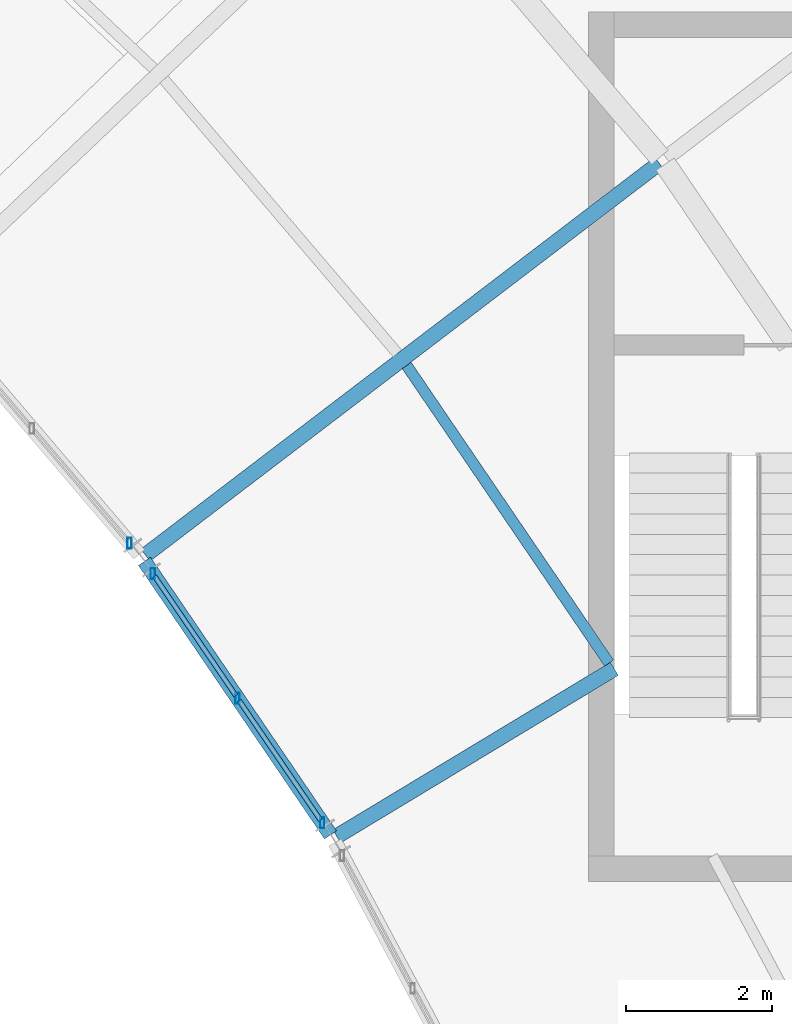
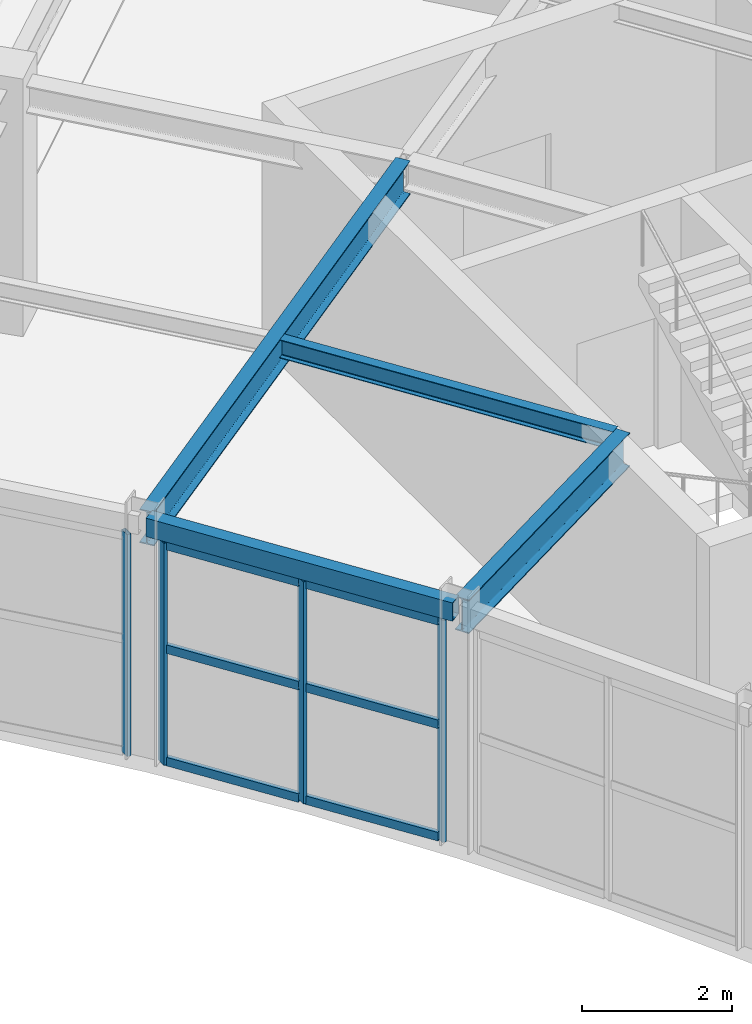
# One storey, part 14 of 29: 10 members, 4 beams, 2 elements without a shape of their own.
"""IFC4 building model written with IfcOpenShell, lengths in metres."""

from ifc_helpers import new_model, si_unit, direction, frame, origin, origin_2d, place, context, subcontext, project, spatial, hollow_rectangle, i_section, extrude, material, material_profile, profile_set, type_object, element, aggregate, save


model = new_model("IFC4")

# Units and contexts
model_context = context("Model", 3, precision=1e-05, world=origin(), true_north=direction((0.0, 1.0)))
body_context = subcontext(model_context, "Body", "Model", "MODEL_VIEW")
ifc_project = project(units=[si_unit("LENGTHUNIT", "METRE"), si_unit("AREAUNIT", "SQUARE_METRE"), si_unit("VOLUMEUNIT", "CUBIC_METRE"), si_unit("PLANEANGLEUNIT", "RADIAN"), si_unit("MASSUNIT", "GRAM", prefix="KILO")], contexts=[model_context])

# Site, building, storey
site_placement = place(None, origin())
site = spatial("IfcSite", under=ifc_project, at=site_placement, CompositionType="ELEMENT")
building_placement = place(site_placement, origin())
building = spatial("IfcBuilding", under=site, at=building_placement, Name="Tarnveldt Headland Concert Hall", CompositionType="ELEMENT")
storey_placement = place(building_placement, frame((0.0, 0.0, 18.60009765625)))
storey = spatial("IfcBuildingStorey", under=building, at=storey_placement, Name="L04", CompositionType="ELEMENT", Elevation=18.60009765625)

# Curtain wall, members
ifc_material_1 = material(Name="Marine-anodised aluminium EN AW-6063-T6", Category="aluminium")
curtain_wall_type = type_object("IfcCurtainWallType", Name="CW-C5", PredefinedType="NOTDEFINED", material=ifc_material_1)
curtain_wall_1_placement = place(storey_placement, origin())
curtain_wall_1 = element("IfcCurtainWall", 1, at=curtain_wall_1_placement, inside=storey, type_object=curtain_wall_type, Name="Curtain wall CW-L04-152", PredefinedType="NOTDEFINED")
ifc_material_profile_1 = material_profile(ifc_material_1, hollow_rectangle(XDim=0.06005859375, YDim=0.14990234375, WallThickness=0.00390625, at=origin_2d()), Name="ALU MULLION 60x150x4", Category="aluminium")
ifc_profile_set_1 = profile_set([ifc_material_profile_1], Name="Marine-anodised aluminium EN AW-6063-T6")
member_type_1 = type_object("IfcMemberType", Name="ML-150", PredefinedType="MULLION", material=ifc_profile_set_1)
member_1_placement = place(storey_placement, frame((154.166259765625, 82.437255859375, 0.0), z_axis=(0.0, 0.0, 1.0), x_axis=(1.0, 0.0, 0.0)))
member_1 = element("IfcMember", 2, at=member_1_placement, type_object=member_type_1, Name="Mullion CW-L04-152-1", PredefinedType="MULLION", context=body_context, shape_type="SweptSolid", body=[
    extrude(hollow_rectangle(XDim=0.06005859375, YDim=0.14990234375, WallThickness=0.00390625, at=origin_2d()), origin(), (0.0, 0.0, 1.0), 3.619873046875),
])
member_2_placement = place(storey_placement, frame((153.002685546875, 84.147705078125, 0.0), z_axis=(0.0, 0.0, 1.0), x_axis=(1.0, 0.0, 0.0)))
member_2 = element("IfcMember", 3, at=member_2_placement, type_object=member_type_1, Name="Mullion CW-L04-152-2", PredefinedType="MULLION", context=body_context, shape_type="SweptSolid", body=[
    extrude(hollow_rectangle(XDim=0.06005859375, YDim=0.14990234375, WallThickness=0.00390625, at=origin_2d()), origin(), (0.0, 0.0, 1.0), 3.619873046875),
])
member_3_placement = place(storey_placement, frame((151.839111328125, 85.8583984375, 0.0), z_axis=(0.0, 0.0, 1.0), x_axis=(1.0, 0.0, 0.0)))
member_3 = element("IfcMember", 4, at=member_3_placement, type_object=member_type_1, Name="Mullion CW-L04-152-3", PredefinedType="MULLION", context=body_context, shape_type="SweptSolid", body=[
    extrude(hollow_rectangle(XDim=0.06005859375, YDim=0.14990234375, WallThickness=0.00390625, at=origin_2d()), origin(), (0.0, 0.0, 1.0), 3.619873046875),
])

# Curtain wall, member
curtain_wall_2_placement = place(storey_placement, origin())
curtain_wall_2 = element("IfcCurtainWall", 5, at=curtain_wall_2_placement, inside=storey, type_object=curtain_wall_type, Name="Curtain wall CW-L04-153", PredefinedType="NOTDEFINED")
member_4_placement = place(storey_placement, frame((151.518310546875, 86.279052734375, 0.0), z_axis=(0.0, 0.0, 1.0), x_axis=(1.0, 0.0, 0.0)))
member_4 = element("IfcMember", 6, at=member_4_placement, type_object=member_type_1, Name="Mullion CW-L04-153-1", PredefinedType="MULLION", context=body_context, shape_type="SweptSolid", body=[
    extrude(hollow_rectangle(XDim=0.06005859375, YDim=0.14990234375, WallThickness=0.00390625, at=origin_2d()), origin(), (0.0, 0.0, 1.0), 3.619873046875),
])
aggregate(curtain_wall_2, [member_4])

# Beams
ifc_material_2 = material(Name="Steel S355", Category="steel")
ifc_material_profile_2 = material_profile(ifc_material_2, i_section(OverallWidth=0.14990234375, OverallDepth=0.300048828125, WebThickness=0.007080078125, FlangeThickness=0.0107421875, FilletRadius=0.014892578125, at=origin_2d()), Name="IPE300", Category="steel")
ifc_profile_set_2 = profile_set([ifc_material_profile_2], Name="Steel S355")
beam_type_1 = type_object("IfcBeamType", Name="SB-IPE300", PredefinedType="JOIST", material=ifc_profile_set_2)
beam_1_placement = place(storey_placement, frame((158.10888671875, 84.6298828125, 3.829833984375), z_axis=(-0.562388329388, 0.82687324722, 0.0), x_axis=(-0.82687324722, -0.562388329388, 0.0)))
element("IfcBeam", 7, at=beam_1_placement, inside=storey, type_object=beam_type_1, Name="Framing beam L04-1395", PredefinedType="JOIST", context=body_context, shape_type="SweptSolid", body=[
    extrude(i_section(OverallWidth=0.14990234375, OverallDepth=0.300048828125, WebThickness=0.007080078125, FlangeThickness=0.0107421875, FilletRadius=0.014892578125, at=origin_2d()), origin(), (0.0, 0.0, 1.0), 4.94580078125),
])
ifc_material_profile_3 = material_profile(ifc_material_2, i_section(OverallWidth=0.2099609375, OverallDepth=0.550048828125, WebThickness=0.010986328125, FlangeThickness=0.01708984375, FilletRadius=0.02392578125, at=origin_2d()), Name="IPE550", Category="steel")
ifc_profile_set_3 = profile_set([ifc_material_profile_3], Name="Steel S355")
beam_type_2 = type_object("IfcBeamType", Name="SB-IPE550", PredefinedType="BEAM", material=ifc_profile_set_3)
beam_2_placement = place(storey_placement, frame((154.36669921875, 82.2490234375, 3.704833984375), z_axis=(0.856145433593, 0.516734938375, 0.0), x_axis=(-0.516734938375, 0.856145433593, 0.0)))
element("IfcBeam", 8, at=beam_2_placement, inside=storey, type_object=beam_type_2, Name="Framing beam L04-1390", PredefinedType="BEAM", context=body_context, shape_type="SweptSolid", body=[
    extrude(i_section(OverallWidth=0.2099609375, OverallDepth=0.550048828125, WebThickness=0.010986328125, FlangeThickness=0.01708984375, FilletRadius=0.02392578125, at=origin_2d()), origin(), (0.0, 0.0, 1.0), 4.453857421875),
])
beam_3_placement = place(storey_placement, frame((151.73779296875, 86.11376953125, 3.704833984375), z_axis=(0.795127420909, 0.6064424, 0.0), x_axis=(-0.6064424, 0.795127420909, 0.0)))
element("IfcBeam", 9, at=beam_3_placement, inside=storey, type_object=beam_type_2, Name="Framing beam L04-1397", PredefinedType="BEAM", context=body_context, shape_type="SweptSolid", body=[
    extrude(i_section(OverallWidth=0.2099609375, OverallDepth=0.550048828125, WebThickness=0.010986328125, FlangeThickness=0.01708984375, FilletRadius=0.02392578125, at=origin_2d()), origin(), (0.0, 0.0, 1.0), 8.880126953125),
])
ifc_material_profile_4 = material_profile(ifc_material_2, hollow_rectangle(XDim=0.199951171875, YDim=0.300048828125, WallThickness=0.012451171875, at=origin_2d()), Name="RHS 300x200x12.5", Category="steel")
ifc_profile_set_4 = profile_set([ifc_material_profile_4], Name="Steel S355")
beam_type_3 = type_object("IfcBeamType", Name="SB-RHS300", PredefinedType="SPANDREL", material=ifc_profile_set_4)
beam_4_placement = place(storey_placement, frame((154.281494140625, 82.267578125, 3.829833984375), z_axis=(-0.562406932975, 0.826860593898, 0.0), x_axis=(-0.826860593898, -0.562406932975, 0.0)))
element("IfcBeam", 10, at=beam_4_placement, inside=storey, type_object=beam_type_3, Name="Framing beam L04-1392", PredefinedType="SPANDREL", context=body_context, shape_type="SweptSolid", body=[
    extrude(hollow_rectangle(XDim=0.199951171875, YDim=0.300048828125, WallThickness=0.012451171875, at=origin_2d()), origin(), (0.0, 0.0, 1.0), 4.547607421875),
])

# Member
ifc_material_profile_5 = material_profile(ifc_material_1, hollow_rectangle(XDim=0.06494140625, YDim=0.139892578125, WallThickness=0.00390625, at=origin_2d()), Name="ALU TRANSOM 65x140x4", Category="aluminium")
ifc_profile_set_5 = profile_set([ifc_material_profile_5], Name="Marine-anodised aluminium EN AW-6063-T6")
member_type_2 = type_object("IfcMemberType", Name="TR-140", PredefinedType="MEMBER", material=ifc_profile_set_5)
member_5_placement = place(storey_placement, frame((154.142578125, 82.471923828125, 0.0498046875), z_axis=(-0.562397497363, 0.826867011653, 0.0), x_axis=(-0.826867011653, -0.562397497363, 0.0)))
member_5 = element("IfcMember", 11, at=member_5_placement, type_object=member_type_2, Name="Transom CW-L04-152-1-1", PredefinedType="MEMBER", context=body_context, shape_type="SweptSolid", body=[
    extrude(hollow_rectangle(XDim=0.06494140625, YDim=0.139892578125, WallThickness=0.00390625, at=origin_2d()), origin(), (0.0, 0.0, 1.0), 1.984619140625),
])

member_6_placement = place(storey_placement, frame((154.142578125, 82.471923828125, 1.88232421875), z_axis=(-0.562397497363, 0.826867011653, 0.0), x_axis=(-0.826867011653, -0.562397497363, 0.0)))
member_6 = element("IfcMember", 12, at=member_6_placement, type_object=member_type_2, Name="Transom CW-L04-152-1-2", PredefinedType="MEMBER", context=body_context, shape_type="SweptSolid", body=[
    extrude(hollow_rectangle(XDim=0.06494140625, YDim=0.139892578125, WallThickness=0.00390625, at=origin_2d()), origin(), (0.0, 0.0, 1.0), 1.984619140625),
])

member_7_placement = place(storey_placement, frame((154.142578125, 82.471923828125, 3.56982421875), z_axis=(-0.562397497363, 0.826867011653, 0.0), x_axis=(-0.826867011653, -0.562397497363, 0.0)))
member_7 = element("IfcMember", 13, at=member_7_placement, type_object=member_type_2, Name="Transom CW-L04-152-1-3", PredefinedType="MEMBER", context=body_context, shape_type="SweptSolid", body=[
    extrude(hollow_rectangle(XDim=0.06494140625, YDim=0.139892578125, WallThickness=0.00390625, at=origin_2d()), origin(), (0.0, 0.0, 1.0), 1.984619140625),
])

member_8_placement = place(storey_placement, frame((152.97900390625, 84.1826171875, 0.0498046875), z_axis=(-0.562454704493, 0.826828099059, 0.0), x_axis=(-0.826828099059, -0.562454704493, 0.0)))
member_8 = element("IfcMember", 14, at=member_8_placement, type_object=member_type_2, Name="Transom CW-L04-152-2-1", PredefinedType="MEMBER", context=body_context, shape_type="SweptSolid", body=[
    extrude(hollow_rectangle(XDim=0.06494140625, YDim=0.139892578125, WallThickness=0.00390625, at=origin_2d()), origin(), (0.0, 0.0, 1.0), 1.984619140625),
])

member_9_placement = place(storey_placement, frame((152.97900390625, 84.1826171875, 1.88232421875), z_axis=(-0.562454704493, 0.826828099059, 0.0), x_axis=(-0.826828099059, -0.562454704493, 0.0)))
member_9 = element("IfcMember", 15, at=member_9_placement, type_object=member_type_2, Name="Transom CW-L04-152-2-2", PredefinedType="MEMBER", context=body_context, shape_type="SweptSolid", body=[
    extrude(hollow_rectangle(XDim=0.06494140625, YDim=0.139892578125, WallThickness=0.00390625, at=origin_2d()), origin(), (0.0, 0.0, 1.0), 1.984619140625),
])

member_10_placement = place(storey_placement, frame((152.97900390625, 84.1826171875, 3.56982421875), z_axis=(-0.562454704493, 0.826828099059, 0.0), x_axis=(-0.826828099059, -0.562454704493, 0.0)))
member_10 = element("IfcMember", 16, at=member_10_placement, type_object=member_type_2, Name="Transom CW-L04-152-2-3", PredefinedType="MEMBER", context=body_context, shape_type="SweptSolid", body=[
    extrude(hollow_rectangle(XDim=0.06494140625, YDim=0.139892578125, WallThickness=0.00390625, at=origin_2d()), origin(), (0.0, 0.0, 1.0), 1.984619140625),
])

aggregate(curtain_wall_1, [member_1, member_2, member_3, member_5, member_6, member_7, member_8, member_9, member_10])

save(model, "model.ifc")
